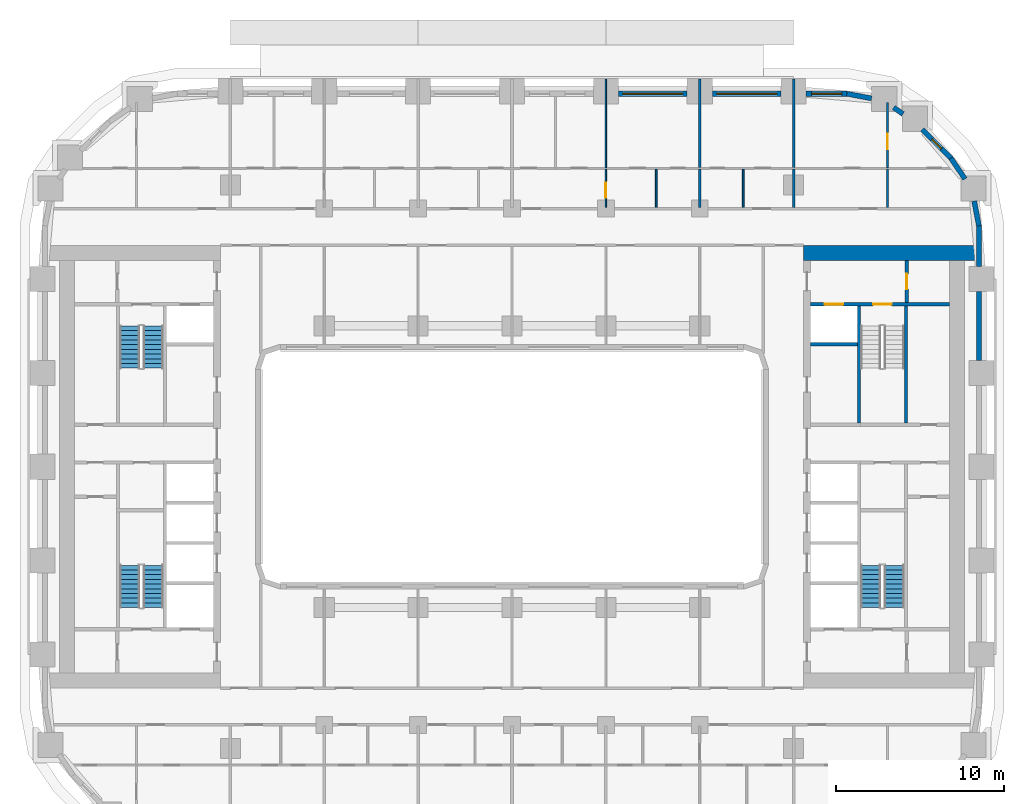
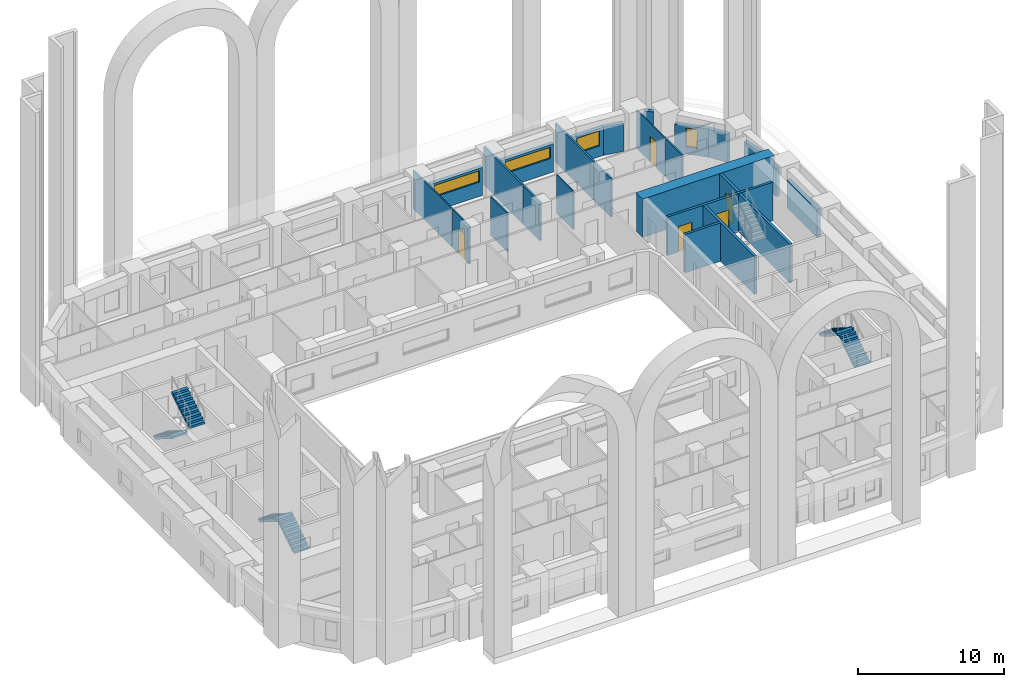
# One storey, part 9 of 21: 26 walls, 6 stair flights, 5 doors, 4 windows, 9 openings, 3 elements without a shape of their own.
"""IFC4 building model written with IfcOpenShell, lengths in metres."""

from ifc_helpers import new_model, si_unit, direction, frame, frame_2d, origin, place, context, subcontext, project, spatial, polyline, rectangle, outline, extrude, material, layer, layer_set, type_object, element, fill, aggregate, save


model = new_model("IFC4")

# Units and contexts
model_context = context("Model", 3, precision=1e-05, world=origin(), true_north=direction((0.0, 1.0)))
body_context = subcontext(model_context, "Body", "Model", "MODEL_VIEW")
ifc_project = project(units=[si_unit("LENGTHUNIT", "METRE"), si_unit("AREAUNIT", "SQUARE_METRE"), si_unit("VOLUMEUNIT", "CUBIC_METRE"), si_unit("PLANEANGLEUNIT", "RADIAN"), si_unit("MASSUNIT", "GRAM", prefix="KILO")], contexts=[model_context])

# Site, building, storey
site_placement = place(None, origin())
site = spatial("IfcSite", under=ifc_project, at=site_placement, CompositionType="ELEMENT")
building_placement = place(site_placement, origin())
building = spatial("IfcBuilding", under=site, at=building_placement, Name="Kiln Ring Residences", CompositionType="ELEMENT")
storey_placement = place(building_placement, frame((0.0, 0.0, 30.5)))
storey = spatial("IfcBuildingStorey", under=building, at=storey_placement, Name="L06", CompositionType="ELEMENT", Elevation=30.5)

# Wall, opening, door
ifc_material_1 = material(Name="Gypsum board on steel studs", Category="steel")
ifc_layer_1 = layer(ifc_material_1, 0.199951171875)
ifc_layer_set_1 = layer_set([ifc_layer_1], Name="CORE-PARTITION-200")
wall_type_1 = type_object("IfcWallType", Name="CORE-PARTITION-200", PredefinedType="PARTITIONING", material=ifc_layer_set_1)
wall_1_placement = place(storey_placement, frame((23.550048828125, 9.800048828125, 0.0), z_axis=(0.0, 0.0, 1.0), x_axis=(0.0, 1.0, 0.0)))
wall_1 = element("IfcWall", 1, at=wall_1_placement, inside=storey, type_object=wall_type_1, Name="Core partition east L06 3", PredefinedType="PARTITIONING", context=body_context, shape_type="SweptSolid", body=[
    extrude(rectangle(XDim=2.5, YDim=0.199951171875, at=frame_2d((1.25, 0.0))), origin(), (0.0, 0.0, 1.0), 3.199951171875),
])
opening_1_placement = place(wall_1_placement, frame((0.800048828125, 0.0, 0.0)))
opening_1 = element("IfcOpeningElement", 2, at=opening_1_placement, cuts=wall_1, Name="Opening L06-CE09", PredefinedType="OPENING", context=body_context, shape_type="SweptSolid", body=[
    extrude(rectangle(XDim=0.89990234375, YDim=2.10009765625, at=frame_2d((0.449951171875, 1.050048828125))), frame((0.0, 0.10986328125, 0.0), z_axis=(0.0, -1.0, 0.0), x_axis=(1.0, 0.0, 0.0)), (0.0, 0.0, 1.0), 0.219970703125),
])
ifc_material_2 = material(Name="Steel door leaf", Category="steel")
door_type_1 = type_object("IfcDoorType", Name="CORE-DOOR-ROOM", OperationType="SINGLE_SWING_LEFT", PredefinedType="DOOR", material=ifc_material_2)
door_1_placement = place(opening_1_placement, origin())
door_1 = element("IfcDoor", 3, at=door_1_placement, inside=storey, type_object=door_type_1, Name="Fire riser room L06-CE09", OperationType="SINGLE_SWING_RIGHT", OverallHeight=2.10009765625, OverallWidth=0.89990234375, PredefinedType="DOOR", context=body_context, shape_type="SweptSolid", body=[
    extrude(rectangle(XDim=0.89990234375, YDim=2.10009765625, at=frame_2d((0.449951171875, 1.050048828125))), frame((0.0, 0.02490234375, 0.0), z_axis=(0.0, -1.0, 0.0), x_axis=(1.0, 0.0, 0.0)), (0.0, 0.0, 1.0), 0.050048828125),
])
fill(opening_1, door_1)

# Walls
ifc_material_3 = material(Name="Gypsum shaft wall system")
ifc_layer_2 = layer(ifc_material_3, 0.199951171875)
ifc_layer_set_2 = layer_set([ifc_layer_2], Name="CORE-SHAFT-WALL-200")
wall_type_2 = type_object("IfcWallType", Name="CORE-SHAFT-WALL-200", PredefinedType="PARTITIONING", material=ifc_layer_set_2)
wall_2_placement = place(storey_placement, frame((17.800048828125, 7.300048828125, 0.0), z_axis=(0.0, 0.0, 1.0), x_axis=(1.0, 0.0, 0.0)))
element("IfcWall", 4, at=wall_2_placement, inside=storey, type_object=wall_type_2, Name="Core partition east L06 11", PredefinedType="PARTITIONING", context=body_context, shape_type="SweptSolid", body=[
    extrude(rectangle(XDim=2.800048828125, YDim=0.199951171875, at=frame_2d((1.39990234375, 0.0))), origin(), (0.0, 0.0, 1.0), 3.199951171875),
])
ifc_material_4 = material(Name="Concrete C40/50", Category="concrete")
ifc_layer_3 = layer(ifc_material_4, 0.199951171875)
ifc_layer_set_3 = layer_set([ifc_layer_3], Name="CORE-WALL-RC200")
wall_type_3 = type_object("IfcWallType", Name="CORE-WALL-RC200", PredefinedType="SHEAR", material=ifc_layer_set_3)
wall_3_placement = place(storey_placement, frame((20.699951171875, 2.60009765625, 0.0), z_axis=(0.0, 0.0, 1.0), x_axis=(0.0, 1.0, 0.0)))
element("IfcWall", 5, at=wall_3_placement, inside=storey, type_object=wall_type_3, Name="Core wall east L06 1", PredefinedType="SHEAR", context=body_context, shape_type="SweptSolid", body=[
    extrude(rectangle(XDim=7.0, YDim=0.199951171875, at=frame_2d((3.5, 0.0))), origin(), (0.0, 0.0, 1.0), 3.199951171875),
])

# Wall, openings, doors
wall_4_placement = place(storey_placement, frame((17.800048828125, 9.699951171875, 0.0), z_axis=(0.0, 0.0, 1.0), x_axis=(1.0, 0.0, 0.0)))
wall_4 = element("IfcWall", 6, at=wall_4_placement, inside=storey, type_object=wall_type_3, Name="Core wall east L06 9", PredefinedType="SHEAR", context=body_context, shape_type="SweptSolid", body=[
    extrude(rectangle(XDim=8.300048828125, YDim=0.199951171875, at=frame_2d((4.14990234375, 0.0))), origin(), (0.0, 0.0, 1.0), 3.199951171875),
])
opening_2_placement = place(wall_4_placement, frame((0.85009765625, 0.0, 0.0)))
opening_2 = element("IfcOpeningElement", 7, at=opening_2_placement, cuts=wall_4, Name="Opening L06-CE06", PredefinedType="OPENING", context=body_context, shape_type="SweptSolid", body=[
    extrude(rectangle(XDim=1.10009765625, YDim=2.10009765625, at=frame_2d((0.550048828125, 1.050048828125))), frame((0.0, 0.10986328125, 0.0), z_axis=(0.0, -1.0, 0.0), x_axis=(1.0, 0.0, 0.0)), (0.0, 0.0, 1.0), 0.219970703125),
])
opening_3_placement = place(wall_4_placement, frame((3.75, 0.0, 0.0)))
opening_3 = element("IfcOpeningElement", 8, at=opening_3_placement, cuts=wall_4, Name="Opening L06-CE11", PredefinedType="OPENING", context=body_context, shape_type="SweptSolid", body=[
    extrude(rectangle(XDim=1.10009765625, YDim=2.10009765625, at=frame_2d((0.550048828125, 1.050048828125))), frame((0.0, 0.10986328125, 0.0), z_axis=(0.0, -1.0, 0.0), x_axis=(1.0, 0.0, 0.0)), (0.0, 0.0, 1.0), 0.219970703125),
])
ifc_material_5 = material(Name="Steel door leaf", Category="steel")
door_type_2 = type_object("IfcDoorType", Name="CORE-DOOR-LD", OperationType="DOUBLE_DOOR_SLIDING", PredefinedType="DOOR", material=ifc_material_5)
door_2_placement = place(opening_2_placement, origin())
door_2 = element("IfcDoor", 9, at=door_2_placement, inside=storey, type_object=door_type_2, Name="LD E-FF L06-CE06", OperationType="DOUBLE_DOOR_SLIDING", OverallHeight=2.10009765625, OverallWidth=1.10009765625, PredefinedType="DOOR", context=body_context, shape_type="SweptSolid", body=[
    extrude(rectangle(XDim=1.10009765625, YDim=2.10009765625, at=frame_2d((0.550048828125, 1.050048828125))), frame((0.0, 0.02490234375, 0.0), z_axis=(0.0, -1.0, 0.0), x_axis=(1.0, 0.0, 0.0)), (0.0, 0.0, 1.0), 0.050048828125),
])
fill(opening_2, door_2)
ifc_material_6 = material(Name="Steel door leaf", Category="steel")
door_type_3 = type_object("IfcDoorType", Name="CORE-DOOR-STAIR", OperationType="SINGLE_SWING_LEFT", PredefinedType="DOOR", material=ifc_material_6)
door_3_placement = place(opening_3_placement, origin())
door_3 = element("IfcDoor", 10, at=door_3_placement, inside=storey, type_object=door_type_3, Name="Stair E-STN L06-CE11", OperationType="SINGLE_SWING_RIGHT", OverallHeight=2.10009765625, OverallWidth=1.10009765625, PredefinedType="DOOR", context=body_context, shape_type="SweptSolid", body=[
    extrude(rectangle(XDim=1.10009765625, YDim=2.10009765625, at=frame_2d((0.550048828125, 1.050048828125))), frame((0.0, 0.02490234375, 0.0), z_axis=(0.0, -1.0, 0.0), x_axis=(1.0, 0.0, 0.0)), (0.0, 0.0, 1.0), 0.050048828125),
])
fill(opening_3, door_3)

# Walls
wall_5_placement = place(storey_placement, frame((23.5, 2.60009765625, 0.0), z_axis=(0.0, 0.0, 1.0), x_axis=(0.0, 1.0, 0.0)))
element("IfcWall", 11, at=wall_5_placement, inside=storey, type_object=wall_type_3, Name="Core wall east L06 10", PredefinedType="SHEAR", context=body_context, shape_type="SweptSolid", body=[
    extrude(rectangle(XDim=7.0, YDim=0.199951171875, at=frame_2d((3.5, 0.0))), origin(), (0.0, 0.0, 1.0), 3.199951171875),
])
ifc_material_7 = material(Name="Concrete C60/75", Category="concrete")
ifc_layer_4 = layer(ifc_material_7, 0.89990234375)
ifc_layer_set_4 = layer_set([ifc_layer_4], Name="CORE-WALL-RC900")
wall_type_4 = type_object("IfcWallType", Name="CORE-WALL-RC900", PredefinedType="SHEAR", material=ifc_layer_set_4)
wall_6_placement = place(storey_placement, frame((17.39990234375, 12.75, 0.0), z_axis=(0.0, 0.0, 1.0), x_axis=(1.0, 0.0, 0.0)))
element("IfcWall", 12, at=wall_6_placement, inside=storey, type_object=wall_type_4, Name="Core wall east L06 4", PredefinedType="SHEAR", context=body_context, shape_type="SweptSolid", body=[
    extrude(rectangle(XDim=10.400146484375, YDim=0.89990234375, at=frame_2d((5.2001953125, 0.0))), origin(), (0.0, 0.0, 1.0), 3.199951171875),
])
ifc_material_8 = material(Name="Brick masonry, dark clay brick", Category="masonry")
ifc_layer_5 = layer(ifc_material_8, 0.300048828125)
ifc_layer_set_5 = layer_set([ifc_layer_5], Name="EW-300 BRICK WALL")
wall_type_5 = type_object("IfcWallType", Name="EW-300 BRICK WALL", PredefinedType="SOLIDWALL", material=ifc_layer_set_5)
wall_7_placement = place(storey_placement, frame((27.85009765625, 6.35009765625, 0.0), z_axis=(0.0, 0.0, 1.0), x_axis=(0.0, 1.0, 0.0)))
element("IfcWall", 13, at=wall_7_placement, inside=storey, type_object=wall_type_5, Name="Facade wall L06 21", PredefinedType="SOLIDWALL", context=body_context, shape_type="SweptSolid", body=[
    extrude(rectangle(XDim=4.099853515625, YDim=0.300048828125, at=frame_2d((2.0498046875, 0.0))), origin(), (0.0, 0.0, 1.0), 2.35009765625),
])
wall_8_placement = place(storey_placement, frame((27.85009765625, 11.949951171875, 0.0), z_axis=(0.0, 0.0, 1.0), x_axis=(0.0, 1.0, 0.0)))
element("IfcWall", 14, at=wall_8_placement, inside=storey, type_object=wall_type_5, Name="Facade wall L06 22", PredefinedType="SOLIDWALL", context=body_context, shape_type="SweptSolid", body=[
    extrude(rectangle(XDim=2.449951171875, YDim=0.300048828125, at=frame_2d((1.22509765625, 0.0))), origin(), (0.0, 0.0, 1.0), 2.35009765625),
])
for number, where, z_axis, x_axis, name in (
    (15, (27.8525390625, 14.371826171875, 0.0), (0.0, 0.0, 1.0), (-0.187223837635, 0.982317277982, 0.0), "Facade wall L06 23"),
    (16, (27.025390625, 17.1669921875, 0.0), (0.0, 0.0, 1.0), (-0.561973021955, 0.827155561303, 0.0), "Facade wall L06 24"),
):
    element("IfcWall", number, at=place(storey_placement, frame(where, z_axis=z_axis, x_axis=x_axis)), inside=storey, type_object=wall_type_5, Name=name, PredefinedType="SOLIDWALL", context=body_context, shape_type="SweptSolid", body=[
        extrude(rectangle(XDim=1.506103515625, YDim=0.300048828125, at=frame_2d((0.7529296875, 0.0))), origin(), (0.0, 0.0, 1.0), 2.35009765625),
    ])

# Wall, opening, window
wall_9_placement = place(storey_placement, frame((26.19677734375, 18.390869140625, 0.0), z_axis=(0.0, 0.0, 1.0), x_axis=(-0.707106781187, 0.707106781187, 0.0)))
wall_9 = element("IfcWall", 17, at=wall_9_placement, inside=storey, type_object=wall_type_5, Name="Facade wall L06 25", PredefinedType="SOLIDWALL", context=body_context, shape_type="SweptSolid", body=[
    extrude(rectangle(XDim=2.449951171875, YDim=0.300048828125, at=frame_2d((1.22509765625, 0.0))), origin(), (0.0, 0.0, 1.0), 2.35009765625),
])
opening_4_placement = place(wall_9_placement, frame((0.824951171875, 0.0, 0.60009765625)))
opening_4 = element("IfcOpeningElement", 18, at=opening_4_placement, cuts=wall_9, Name="Opening W5", PredefinedType="OPENING", context=body_context, shape_type="SweptSolid", body=[
    extrude(rectangle(XDim=0.800048828125, YDim=1.550048828125, at=frame_2d((0.39990234375, 0.77490234375))), frame((0.0, 0.159912109375, 0.0), z_axis=(0.0, -1.0, 0.0), x_axis=(1.0, 0.0, 0.0)), (0.0, 0.0, 1.0), 0.320068359375),
])
ifc_material_9 = material(Name="Aluminium frame with double glazing", Category="aluminium")
window_type_1 = type_object("IfcWindowType", Name="WINDOW 800 x 1550", PartitioningType="SINGLE_PANEL", PredefinedType="WINDOW", material=ifc_material_9)
window_1_placement = place(opening_4_placement, origin())
window_1 = element("IfcWindow", 19, at=window_1_placement, inside=storey, type_object=window_type_1, Name="Window L06 10", OverallHeight=1.550048828125, OverallWidth=0.800048828125, PartitioningType="SINGLE_PANEL", PredefinedType="WINDOW", context=body_context, shape_type="SweptSolid", body=[
    extrude(rectangle(XDim=0.800048828125, YDim=1.550048828125, at=frame_2d((0.39990234375, 0.77490234375))), frame((0.0, 0.030029296875, 0.0), z_axis=(0.0, -1.0, 0.0), x_axis=(1.0, 0.0, 0.0)), (0.0, 0.0, 1.0), 0.06005859375),
])
fill(opening_4, window_1)

# Walls
wall_10_placement = place(storey_placement, frame((23.3271484375, 21.044921875, 0.0), z_axis=(0.0, 0.0, 1.0), x_axis=(-0.827080706709, 0.562083182981, 0.0)))
element("IfcWall", 20, at=wall_10_placement, inside=storey, type_object=wall_type_5, Name="Facade wall L06 26", PredefinedType="SOLIDWALL", context=body_context, shape_type="SweptSolid", body=[
    extrude(rectangle(XDim=0.67724609375, YDim=0.300048828125, at=frame_2d((0.338623046875, 0.0))), origin(), (0.0, 0.0, 1.0), 3.199951171875),
])
wall_11_placement = place(storey_placement, frame((21.451416015625, 21.970458984375, 0.0), z_axis=(0.0, 0.0, 1.0), x_axis=(-0.982287454367, 0.187380247071, 0.0)))
element("IfcWall", 21, at=wall_11_placement, inside=storey, type_object=wall_type_5, Name="Facade wall L06 27", PredefinedType="SOLIDWALL", context=body_context, shape_type="SweptSolid", body=[
    extrude(rectangle(XDim=1.506103515625, YDim=0.300048828125, at=frame_2d((0.7529296875, 0.0))), origin(), (0.0, 0.0, 1.0), 2.35009765625),
])

# Wall, opening, window
wall_12_placement = place(storey_placement, frame((20.0, 22.25, 0.0), z_axis=(0.0, 0.0, 1.0), x_axis=(-1.0, 0.0, 0.0)))
wall_12 = element("IfcWall", 22, at=wall_12_placement, inside=storey, type_object=wall_type_5, Name="Facade wall L06 28", PredefinedType="SOLIDWALL", context=body_context, shape_type="SweptSolid", body=[
    extrude(rectangle(XDim=2.449951171875, YDim=0.300048828125, at=frame_2d((1.22509765625, 0.0))), origin(), (0.0, 0.0, 1.0), 2.35009765625),
])
opening_5_placement = place(wall_12_placement, frame((0.324951171875, 0.0, 0.89990234375)))
opening_5 = element("IfcOpeningElement", 23, at=opening_5_placement, cuts=wall_12, Name="Opening W2", PredefinedType="OPENING", context=body_context, shape_type="SweptSolid", body=[
    extrude(rectangle(XDim=1.800048828125, YDim=1.25, at=frame_2d((0.89990234375, 0.625))), frame((0.0, 0.159912109375, 0.0), z_axis=(0.0, -1.0, 0.0), x_axis=(1.0, 0.0, 0.0)), (0.0, 0.0, 1.0), 0.320068359375),
])
ifc_material_10 = material(Name="Aluminium frame with double glazing", Category="aluminium")
window_type_2 = type_object("IfcWindowType", Name="WINDOW 1800 x 1250", PartitioningType="SINGLE_PANEL", PredefinedType="WINDOW", material=ifc_material_10)
window_2_placement = place(opening_5_placement, origin())
window_2 = element("IfcWindow", 24, at=window_2_placement, inside=storey, type_object=window_type_2, Name="Window L06 11", OverallHeight=1.25, OverallWidth=1.800048828125, PartitioningType="SINGLE_PANEL", PredefinedType="WINDOW", context=body_context, shape_type="SweptSolid", body=[
    extrude(rectangle(XDim=1.800048828125, YDim=1.25, at=frame_2d((0.89990234375, 0.625))), frame((0.0, 0.030029296875, 0.0), z_axis=(0.0, -1.0, 0.0), x_axis=(1.0, 0.0, 0.0)), (0.0, 0.0, 1.0), 0.06005859375),
])
fill(opening_5, window_2)

wall_13_placement = place(storey_placement, frame((16.050048828125, 22.25, 0.0), z_axis=(0.0, 0.0, 1.0), x_axis=(-1.0, 0.0, 0.0)))
wall_13 = element("IfcWall", 25, at=wall_13_placement, inside=storey, type_object=wall_type_5, Name="Facade wall L06 29", PredefinedType="SOLIDWALL", context=body_context, shape_type="SweptSolid", body=[
    extrude(rectangle(XDim=4.10009765625, YDim=0.300048828125, at=frame_2d((2.050048828125, 0.0))), origin(), (0.0, 0.0, 1.0), 2.35009765625),
])
opening_6_placement = place(wall_13_placement, frame((0.25, 0.0, 1.199951171875)))
opening_6 = element("IfcOpeningElement", 26, at=opening_6_placement, cuts=wall_13, Name="Opening W4", PredefinedType="OPENING", context=body_context, shape_type="SweptSolid", body=[
    extrude(rectangle(XDim=3.60009765625, YDim=0.949951171875, at=frame_2d((1.800048828125, 0.47509765625))), frame((0.0, 0.159912109375, 0.0), z_axis=(0.0, -1.0, 0.0), x_axis=(1.0, 0.0, 0.0)), (0.0, 0.0, 1.0), 0.320068359375),
])
ifc_material_11 = material(Name="Aluminium frame with double glazing", Category="aluminium")
window_type_3 = type_object("IfcWindowType", Name="WINDOW 3600 x 950", PartitioningType="SINGLE_PANEL", PredefinedType="WINDOW", material=ifc_material_11)
window_3_placement = place(opening_6_placement, origin())
window_3 = element("IfcWindow", 27, at=window_3_placement, inside=storey, type_object=window_type_3, Name="Window L06 12", OverallHeight=0.949951171875, OverallWidth=3.60009765625, PartitioningType="SINGLE_PANEL", PredefinedType="WINDOW", context=body_context, shape_type="SweptSolid", body=[
    extrude(rectangle(XDim=3.60009765625, YDim=0.949951171875, at=frame_2d((1.800048828125, 0.47509765625))), frame((0.0, 0.030029296875, 0.0), z_axis=(0.0, -1.0, 0.0), x_axis=(1.0, 0.0, 0.0)), (0.0, 0.0, 1.0), 0.06005859375),
])
fill(opening_6, window_3)

wall_14_placement = place(storey_placement, frame((10.449951171875, 22.25, 0.0), z_axis=(0.0, 0.0, 1.0), x_axis=(-1.0, 0.0, 0.0)))
wall_14 = element("IfcWall", 28, at=wall_14_placement, inside=storey, type_object=wall_type_5, Name="Facade wall L06 30", PredefinedType="SOLIDWALL", context=body_context, shape_type="SweptSolid", body=[
    extrude(rectangle(XDim=4.099853515625, YDim=0.300048828125, at=frame_2d((2.0498046875, 0.0))), origin(), (0.0, 0.0, 1.0), 2.35009765625),
])
opening_7_placement = place(wall_14_placement, frame((0.25, 0.0, 1.199951171875)))
opening_7 = element("IfcOpeningElement", 29, at=opening_7_placement, cuts=wall_14, Name="Opening W4", PredefinedType="OPENING", context=body_context, shape_type="SweptSolid", body=[
    extrude(rectangle(XDim=3.60009765625, YDim=0.949951171875, at=frame_2d((1.800048828125, 0.47509765625))), frame((0.0, 0.159912109375, 0.0), z_axis=(0.0, -1.0, 0.0), x_axis=(1.0, 0.0, 0.0)), (0.0, 0.0, 1.0), 0.320068359375),
])
window_4_placement = place(opening_7_placement, origin())
window_4 = element("IfcWindow", 30, at=window_4_placement, inside=storey, type_object=window_type_3, Name="Window L06 13", OverallHeight=0.949951171875, OverallWidth=3.60009765625, PartitioningType="SINGLE_PANEL", PredefinedType="WINDOW", context=body_context, shape_type="SweptSolid", body=[
    extrude(rectangle(XDim=3.60009765625, YDim=0.949951171875, at=frame_2d((1.800048828125, 0.47509765625))), frame((0.0, 0.030029296875, 0.0), z_axis=(0.0, -1.0, 0.0), x_axis=(1.0, 0.0, 0.0)), (0.0, 0.0, 1.0), 0.06005859375),
])
fill(opening_7, window_4)

# Wall, opening, door
ifc_material_12 = material(Name="Gypsum board on steel studs", Category="steel")
ifc_layer_6 = layer(ifc_material_12, 0.10009765625)
ifc_layer_set_6 = layer_set([ifc_layer_6], Name="PARTITION-100")
wall_type_6 = type_object("IfcWallType", Name="PARTITION-100", PredefinedType="PARTITIONING", material=ifc_layer_set_6)
wall_15_placement = place(storey_placement, frame((5.60009765625, 15.47509765625, 0.0), z_axis=(0.0, 0.0, 1.0), x_axis=(0.0, 1.0, 0.0)))
wall_15 = element("IfcWall", 31, at=wall_15_placement, inside=storey, type_object=wall_type_6, Name="Partition 044", PredefinedType="PARTITIONING", context=body_context, shape_type="SweptSolid", body=[
    extrude(rectangle(XDim=2.27490234375, YDim=0.10009765625, at=frame_2d((1.137451171875, 0.0))), origin(), (0.0, 0.0, 1.0), 3.199951171875),
])
opening_8_placement = place(wall_15_placement, frame((0.575927734375, 0.0, 0.0)))
opening_8 = element("IfcOpeningElement", 32, at=opening_8_placement, cuts=wall_15, Name="Opening L06-D025", PredefinedType="OPENING", context=body_context, shape_type="SweptSolid", body=[
    extrude(rectangle(XDim=0.89990234375, YDim=2.10009765625, at=frame_2d((0.449951171875, 1.050048828125))), frame((0.0, 0.06005859375, 0.0), z_axis=(0.0, -1.0, 0.0), x_axis=(1.0, 0.0, 0.0)), (0.0, 0.0, 1.0), 0.1201171875),
])
ifc_material_13 = material(Name="Timber door leaf", Category="wood")
door_type_4 = type_object("IfcDoorType", Name="FLAT-DOOR-900-PL", OperationType="SINGLE_SWING_LEFT", PredefinedType="DOOR", material=ifc_material_13)
door_4_placement = place(opening_8_placement, origin())
door_4 = element("IfcDoor", 33, at=door_4_placement, inside=storey, type_object=door_type_4, Name="Door L06-D025", OperationType="SINGLE_SWING_LEFT", OverallHeight=2.10009765625, OverallWidth=0.89990234375, PredefinedType="DOOR", context=body_context, shape_type="SweptSolid", body=[
    extrude(rectangle(XDim=0.89990234375, YDim=2.10009765625, at=frame_2d((0.449951171875, 1.050048828125))), frame((0.0, 0.02490234375, 0.0), z_axis=(0.0, -1.0, 0.0), x_axis=(1.0, 0.0, 0.0)), (0.0, 0.0, 1.0), 0.050048828125),
])
fill(opening_8, door_4)

# Walls
wall_16_placement = place(storey_placement, frame((5.60009765625, 17.85009765625, 0.0), z_axis=(0.0, 0.0, 1.0), x_axis=(0.0, 1.0, 0.0)))
element("IfcWall", 34, at=wall_16_placement, inside=storey, type_object=wall_type_6, Name="Partition 045", PredefinedType="PARTITIONING", context=body_context, shape_type="SweptSolid", body=[
    extrude(rectangle(XDim=5.27978515625, YDim=0.10009765625, at=frame_2d((2.639892578125, 0.0))), origin(), (0.0, 0.0, 1.0), 3.199951171875),
])
for number, where, z_axis, x_axis, name in (
    (35, (8.60009765625, 15.47509765625, 0.0), (0.0, 0.0, 1.0), (0.0, 1.0, 0.0), "Partition 049"),
    (36, (13.800048828125, 15.47509765625, 0.0), (0.0, 0.0, 1.0), (0.0, 1.0, 0.0), "Partition 056"),
    (37, (22.39990234375, 15.47509765625, 0.0), (0.0, 0.0, 1.0), (0.0, 1.0, 0.0), "Partition 066"),
):
    element("IfcWall", number, at=place(storey_placement, frame(where, z_axis=z_axis, x_axis=x_axis)), inside=storey, type_object=wall_type_6, Name=name, PredefinedType="PARTITIONING", context=body_context, shape_type="SweptSolid", body=[
        extrude(rectangle(XDim=2.27490234375, YDim=0.10009765625, at=frame_2d((1.137451171875, 0.0))), origin(), (0.0, 0.0, 1.0), 3.199951171875),
    ])

# Wall, opening, door
wall_17_placement = place(storey_placement, frame((22.39990234375, 17.85009765625, 0.0), z_axis=(0.0, 0.0, 1.0), x_axis=(0.0, 1.0, 0.0)))
wall_17 = element("IfcWall", 38, at=wall_17_placement, inside=storey, type_object=wall_type_6, Name="Partition 067", PredefinedType="PARTITIONING", context=body_context, shape_type="SweptSolid", body=[
    extrude(rectangle(XDim=3.869873046875, YDim=0.10009765625, at=frame_2d((1.93505859375, 0.0))), origin(), (0.0, 0.0, 1.0), 3.199951171875),
])
opening_9_placement = place(wall_17_placement, frame((1.10009765625, 0.0, 0.0)))
opening_9 = element("IfcOpeningElement", 39, at=opening_9_placement, cuts=wall_17, Name="Opening L06-D036", PredefinedType="OPENING", context=body_context, shape_type="SweptSolid", body=[
    extrude(rectangle(XDim=0.89990234375, YDim=2.10009765625, at=frame_2d((0.449951171875, 1.050048828125))), frame((0.0, 0.06005859375, 0.0), z_axis=(0.0, -1.0, 0.0), x_axis=(1.0, 0.0, 0.0)), (0.0, 0.0, 1.0), 0.1201171875),
])
door_5_placement = place(opening_9_placement, origin())
door_5 = element("IfcDoor", 40, at=door_5_placement, inside=storey, type_object=door_type_4, Name="Door L06-D036", OperationType="SINGLE_SWING_LEFT", OverallHeight=2.10009765625, OverallWidth=0.89990234375, PredefinedType="DOOR", context=body_context, shape_type="SweptSolid", body=[
    extrude(rectangle(XDim=0.89990234375, YDim=2.10009765625, at=frame_2d((0.449951171875, 1.050048828125))), frame((0.0, 0.02490234375, 0.0), z_axis=(0.0, -1.0, 0.0), x_axis=(1.0, 0.0, 0.0)), (0.0, 0.0, 1.0), 0.050048828125),
])
fill(opening_9, door_5)

# Walls
ifc_material_14 = material(Name="Brick masonry partition", Category="masonry")
ifc_layer_7 = layer(ifc_material_14, 0.14990234375)
ifc_layer_set_7 = layer_set([ifc_layer_7], Name="PARTITION-150-ei60")
wall_type_7 = type_object("IfcWallType", Name="PARTITION-150-ei60", PredefinedType="PARTITIONING", material=ifc_layer_set_7)
wall_18_placement = place(storey_placement, frame((11.199951171875, 15.47509765625, 0.0), z_axis=(0.0, 0.0, 1.0), x_axis=(0.0, 1.0, 0.0)))
element("IfcWall", 41, at=wall_18_placement, inside=storey, type_object=wall_type_7, Name="Partition 054", PredefinedType="PARTITIONING", context=body_context, shape_type="SweptSolid", body=[
    extrude(rectangle(XDim=2.27490234375, YDim=0.14990234375, at=frame_2d((1.137451171875, 0.0))), origin(), (0.0, 0.0, 1.0), 3.199951171875),
])
wall_19_placement = place(storey_placement, frame((11.199951171875, 17.85009765625, 0.0), z_axis=(0.0, 0.0, 1.0), x_axis=(0.0, 1.0, 0.0)))
element("IfcWall", 42, at=wall_19_placement, inside=storey, type_object=wall_type_7, Name="Partition 055", PredefinedType="PARTITIONING", context=body_context, shape_type="SweptSolid", body=[
    extrude(rectangle(XDim=5.27978515625, YDim=0.14990234375, at=frame_2d((2.639892578125, 0.0))), origin(), (0.0, 0.0, 1.0), 3.199951171875),
])
wall_20_placement = place(storey_placement, frame((16.800048828125, 15.47509765625, 0.0), z_axis=(0.0, 0.0, 1.0), x_axis=(0.0, 1.0, 0.0)))
element("IfcWall", 43, at=wall_20_placement, inside=storey, type_object=wall_type_7, Name="Partition 062", PredefinedType="PARTITIONING", context=body_context, shape_type="SweptSolid", body=[
    extrude(rectangle(XDim=2.27490234375, YDim=0.14990234375, at=frame_2d((1.137451171875, 0.0))), origin(), (0.0, 0.0, 1.0), 3.199951171875),
])
wall_21_placement = place(storey_placement, frame((16.800048828125, 17.85009765625, 0.0), z_axis=(0.0, 0.0, 1.0), x_axis=(0.0, 1.0, 0.0)))
element("IfcWall", 44, at=wall_21_placement, inside=storey, type_object=wall_type_7, Name="Partition 063", PredefinedType="PARTITIONING", context=body_context, shape_type="SweptSolid", body=[
    extrude(rectangle(XDim=5.27978515625, YDim=0.14990234375, at=frame_2d((2.639892578125, 0.0))), origin(), (0.0, 0.0, 1.0), 3.199951171875),
])

# Stair, stair flights
ifc_material_15 = material(Name="Concrete C40/50", Category="concrete")
stair_type = type_object("IfcStairType", Name="CORE-STAIR", PredefinedType="HALF_TURN_STAIR", material=ifc_material_15)
placement = place(storey_placement, origin())
stair_1 = element("IfcStair", 45, at=placement, inside=storey, type_object=stair_type, Name="L06 stair W-STN", PredefinedType="HALF_TURN_STAIR")
ifc_material_16 = material(Name="Concrete C40/50", Category="concrete")
stair_flight_type = type_object("IfcStairFlightType", Name="CORE-STAIR-FLIGHT", PredefinedType="STRAIGHT", material=ifc_material_16)
stair_flight_1_placement = place(storey_placement, frame((-22.800048828125, 8.39990234375, 0.0), z_axis=(0.0, 0.0, 1.0), x_axis=(0.0, -1.0, 0.0)))
stair_flight_1 = element("IfcStairFlight", 46, at=stair_flight_1_placement, type_object=stair_flight_type, Name="W-STN flight 1", NumberOfRisers=10, NumberOfTreads=9, PredefinedType="STRAIGHT", RiserHeight=0.175, TreadLength=0.28, context=body_context, shape_type="SweptSolid", body=[
    extrude(outline(polyline([(0.0, 0.0), (0.0, 0.175048828125), (0.280029296875, 0.175048828125), (0.280029296875, 0.35009765625), (0.56005859375, 0.35009765625), (0.56005859375, 0.52490234375), (0.840087890625, 0.52490234375), (0.840087890625, 0.699951171875), (1.1201171875, 0.699951171875), (1.1201171875, 0.875), (1.39990234375, 0.875), (1.39990234375, 1.050048828125), (1.679931640625, 1.050048828125), (1.679931640625, 1.22509765625), (1.9599609375, 1.22509765625), (1.9599609375, 1.39990234375), (2.239990234375, 1.39990234375), (2.239990234375, 1.574951171875), (2.52001953125, 1.574951171875), (2.52001953125, 1.75), (2.52001953125, 1.398193359375), (0.28271484375, 0.0), (0.0, 0.0)])), frame((0.0, 0.60009765625, 0.0), z_axis=(0.0, -1.0, 0.0), x_axis=(1.0, 0.0, 0.0)), (0.0, 0.0, 1.0), 1.199951171875),
])
stair_flight_2_placement = place(storey_placement, frame((-21.39990234375, 5.8798828125, 1.75), z_axis=(0.0, 0.0, 1.0), x_axis=(0.0, 1.0, 0.0)))
stair_flight_2 = element("IfcStairFlight", 47, at=stair_flight_2_placement, type_object=stair_flight_type, Name="W-STN flight 2", NumberOfRisers=10, NumberOfTreads=9, PredefinedType="STRAIGHT", RiserHeight=0.175, TreadLength=0.28, context=body_context, shape_type="SweptSolid", body=[
    extrude(outline(polyline([(0.0, 0.0), (0.0, 0.175048828125), (0.280029296875, 0.175048828125), (0.280029296875, 0.35009765625), (0.56005859375, 0.35009765625), (0.56005859375, 0.52490234375), (0.840087890625, 0.52490234375), (0.840087890625, 0.699951171875), (1.1201171875, 0.699951171875), (1.1201171875, 0.875), (1.39990234375, 0.875), (1.39990234375, 1.050048828125), (1.679931640625, 1.050048828125), (1.679931640625, 1.22509765625), (1.9599609375, 1.22509765625), (1.9599609375, 1.39990234375), (2.239990234375, 1.39990234375), (2.239990234375, 1.574951171875), (2.52001953125, 1.574951171875), (2.52001953125, 1.75), (2.52001953125, 1.398193359375), (0.28271484375, 0.0), (0.0, 0.0)])), frame((0.0, 0.60009765625, 0.0), z_axis=(0.0, -1.0, 0.0), x_axis=(1.0, 0.0, 0.0)), (0.0, 0.0, 1.0), 1.199951171875),
])
aggregate(stair_1, [stair_flight_1, stair_flight_2])

stair_2 = element("IfcStair", 48, at=placement, inside=storey, type_object=stair_type, Name="L06 stair W-STS", PredefinedType="HALF_TURN_STAIR")
stair_flight_3_placement = place(storey_placement, frame((-21.39990234375, -8.39990234375, 0.0), z_axis=(0.0, 0.0, 1.0), x_axis=(0.0, 1.0, 0.0)))
stair_flight_3 = element("IfcStairFlight", 49, at=stair_flight_3_placement, type_object=stair_flight_type, Name="W-STS flight 1", NumberOfRisers=10, NumberOfTreads=9, PredefinedType="STRAIGHT", RiserHeight=0.175, TreadLength=0.28, context=body_context, shape_type="SweptSolid", body=[
    extrude(outline(polyline([(0.0, 0.0), (0.0, 0.175048828125), (0.280029296875, 0.175048828125), (0.280029296875, 0.35009765625), (0.56005859375, 0.35009765625), (0.56005859375, 0.52490234375), (0.840087890625, 0.52490234375), (0.840087890625, 0.699951171875), (1.1201171875, 0.699951171875), (1.1201171875, 0.875), (1.39990234375, 0.875), (1.39990234375, 1.050048828125), (1.679931640625, 1.050048828125), (1.679931640625, 1.22509765625), (1.9599609375, 1.22509765625), (1.9599609375, 1.39990234375), (2.239990234375, 1.39990234375), (2.239990234375, 1.574951171875), (2.52001953125, 1.574951171875), (2.52001953125, 1.75), (2.52001953125, 1.398193359375), (0.28271484375, 0.0), (0.0, 0.0)])), frame((0.0, 0.60009765625, 0.0), z_axis=(0.0, -1.0, 0.0), x_axis=(1.0, 0.0, 0.0)), (0.0, 0.0, 1.0), 1.199951171875),
])
stair_flight_4_placement = place(storey_placement, frame((-22.800048828125, -5.8798828125, 1.75), z_axis=(0.0, 0.0, 1.0), x_axis=(0.0, -1.0, 0.0)))
stair_flight_4 = element("IfcStairFlight", 50, at=stair_flight_4_placement, type_object=stair_flight_type, Name="W-STS flight 2", NumberOfRisers=10, NumberOfTreads=9, PredefinedType="STRAIGHT", RiserHeight=0.175, TreadLength=0.28, context=body_context, shape_type="SweptSolid", body=[
    extrude(outline(polyline([(0.0, 0.0), (0.0, 0.175048828125), (0.280029296875, 0.175048828125), (0.280029296875, 0.35009765625), (0.56005859375, 0.35009765625), (0.56005859375, 0.52490234375), (0.840087890625, 0.52490234375), (0.840087890625, 0.699951171875), (1.1201171875, 0.699951171875), (1.1201171875, 0.875), (1.39990234375, 0.875), (1.39990234375, 1.050048828125), (1.679931640625, 1.050048828125), (1.679931640625, 1.22509765625), (1.9599609375, 1.22509765625), (1.9599609375, 1.39990234375), (2.239990234375, 1.39990234375), (2.239990234375, 1.574951171875), (2.52001953125, 1.574951171875), (2.52001953125, 1.75), (2.52001953125, 1.398193359375), (0.28271484375, 0.0), (0.0, 0.0)])), frame((0.0, 0.60009765625, 0.0), z_axis=(0.0, -1.0, 0.0), x_axis=(1.0, 0.0, 0.0)), (0.0, 0.0, 1.0), 1.199951171875),
])
aggregate(stair_2, [stair_flight_3, stair_flight_4])

stair_3 = element("IfcStair", 51, at=placement, inside=storey, type_object=stair_type, Name="L06 stair E-STS", PredefinedType="HALF_TURN_STAIR")
stair_flight_5_placement = place(storey_placement, frame((22.800048828125, -8.39990234375, 0.0), z_axis=(0.0, 0.0, 1.0), x_axis=(0.0, 1.0, 0.0)))
stair_flight_5 = element("IfcStairFlight", 52, at=stair_flight_5_placement, type_object=stair_flight_type, Name="E-STS flight 1", NumberOfRisers=10, NumberOfTreads=9, PredefinedType="STRAIGHT", RiserHeight=0.175, TreadLength=0.28, context=body_context, shape_type="SweptSolid", body=[
    extrude(outline(polyline([(0.0, 0.0), (0.0, 0.175048828125), (0.280029296875, 0.175048828125), (0.280029296875, 0.35009765625), (0.56005859375, 0.35009765625), (0.56005859375, 0.52490234375), (0.840087890625, 0.52490234375), (0.840087890625, 0.699951171875), (1.1201171875, 0.699951171875), (1.1201171875, 0.875), (1.39990234375, 0.875), (1.39990234375, 1.050048828125), (1.679931640625, 1.050048828125), (1.679931640625, 1.22509765625), (1.9599609375, 1.22509765625), (1.9599609375, 1.39990234375), (2.239990234375, 1.39990234375), (2.239990234375, 1.574951171875), (2.52001953125, 1.574951171875), (2.52001953125, 1.75), (2.52001953125, 1.398193359375), (0.28271484375, 0.0), (0.0, 0.0)])), frame((0.0, 0.60009765625, 0.0), z_axis=(0.0, -1.0, 0.0), x_axis=(1.0, 0.0, 0.0)), (0.0, 0.0, 1.0), 1.199951171875),
])
stair_flight_6_placement = place(storey_placement, frame((21.39990234375, -5.8798828125, 1.75), z_axis=(0.0, 0.0, 1.0), x_axis=(0.0, -1.0, 0.0)))
stair_flight_6 = element("IfcStairFlight", 53, at=stair_flight_6_placement, type_object=stair_flight_type, Name="E-STS flight 2", NumberOfRisers=10, NumberOfTreads=9, PredefinedType="STRAIGHT", RiserHeight=0.175, TreadLength=0.28, context=body_context, shape_type="SweptSolid", body=[
    extrude(outline(polyline([(0.0, 0.0), (0.0, 0.175048828125), (0.280029296875, 0.175048828125), (0.280029296875, 0.35009765625), (0.56005859375, 0.35009765625), (0.56005859375, 0.52490234375), (0.840087890625, 0.52490234375), (0.840087890625, 0.699951171875), (1.1201171875, 0.699951171875), (1.1201171875, 0.875), (1.39990234375, 0.875), (1.39990234375, 1.050048828125), (1.679931640625, 1.050048828125), (1.679931640625, 1.22509765625), (1.9599609375, 1.22509765625), (1.9599609375, 1.39990234375), (2.239990234375, 1.39990234375), (2.239990234375, 1.574951171875), (2.52001953125, 1.574951171875), (2.52001953125, 1.75), (2.52001953125, 1.398193359375), (0.28271484375, 0.0), (0.0, 0.0)])), frame((0.0, 0.60009765625, 0.0), z_axis=(0.0, -1.0, 0.0), x_axis=(1.0, 0.0, 0.0)), (0.0, 0.0, 1.0), 1.199951171875),
])
aggregate(stair_3, [stair_flight_5, stair_flight_6])

save(model, "model.ifc")
